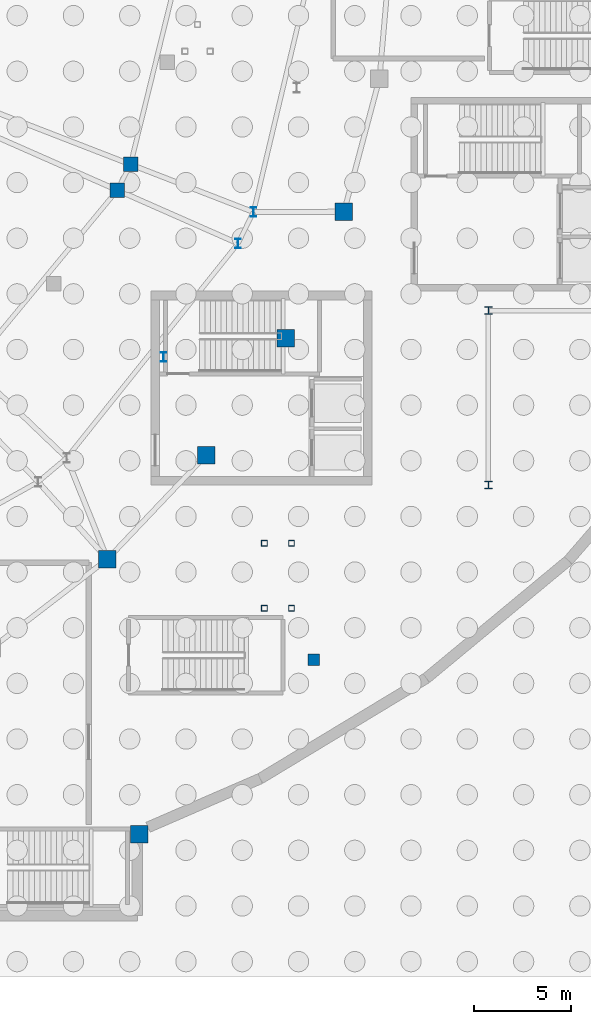
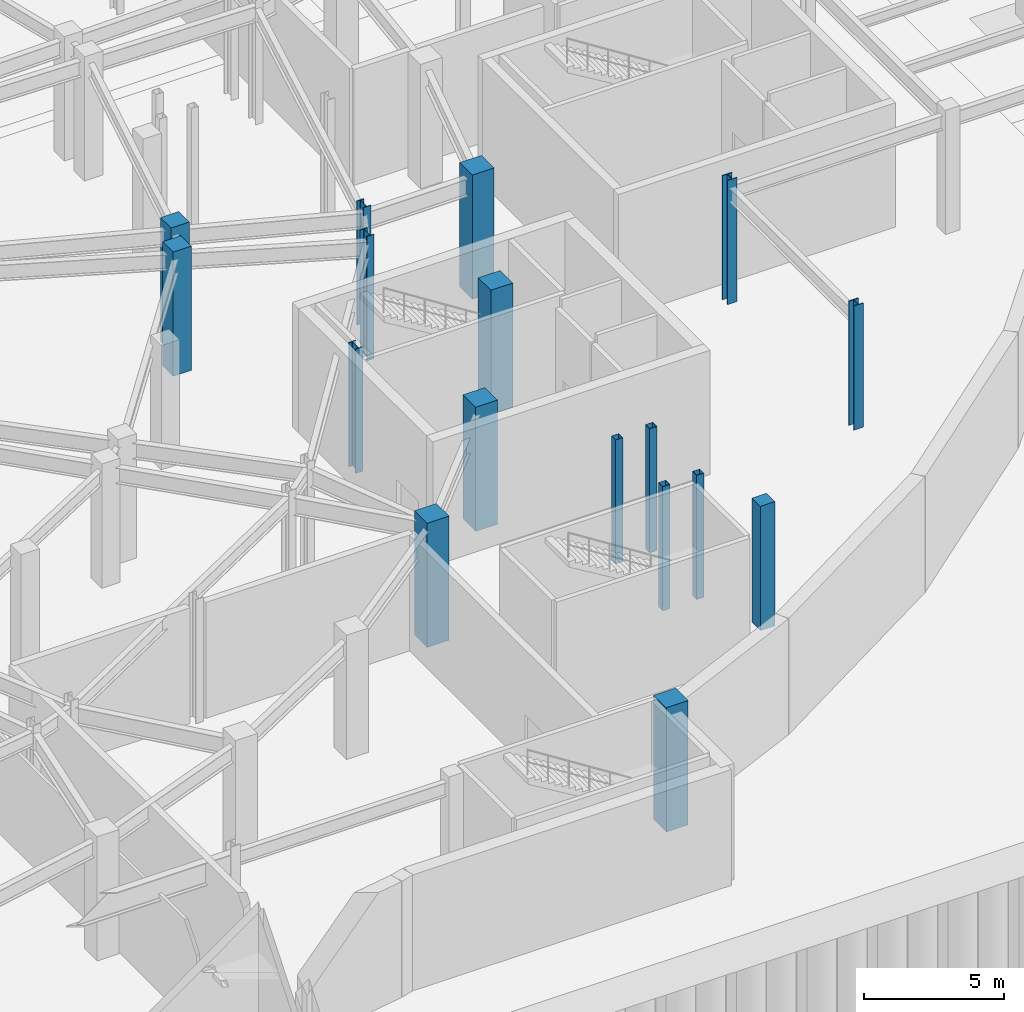
# One storey, part 25 of 56: 17 columns.
"""IFC4 building model written with IfcOpenShell, lengths in metres."""

from ifc_helpers import new_model, si_unit, direction, frame, origin, origin_2d, place, context, subcontext, project, spatial, rectangle, hollow_rectangle, i_section, extrude, material, material_profile, profile_set, type_object, element, save


model = new_model("IFC4")

# Units and contexts
model_context = context("Model", 3, precision=1e-05, world=origin(), true_north=direction((0.0, 1.0)))
body_context = subcontext(model_context, "Body", "Model", "MODEL_VIEW")
ifc_project = project(units=[si_unit("LENGTHUNIT", "METRE"), si_unit("AREAUNIT", "SQUARE_METRE"), si_unit("VOLUMEUNIT", "CUBIC_METRE"), si_unit("PLANEANGLEUNIT", "RADIAN"), si_unit("MASSUNIT", "GRAM", prefix="KILO")], contexts=[model_context])

# Site, building, storey
site_placement = place(None, origin())
site = spatial("IfcSite", under=ifc_project, at=site_placement, CompositionType="ELEMENT")
building_placement = place(site_placement, origin())
building = spatial("IfcBuilding", under=site, at=building_placement, Name="Glasvene Arena", CompositionType="ELEMENT")
storey_placement = place(building_placement, frame((0.0, 0.0, -5.39990234375)))
storey = spatial("IfcBuildingStorey", under=building, at=storey_placement, Name="B1", CompositionType="ELEMENT", Elevation=-5.39990234375)

# Columns
ifc_material_1 = material(Name="Concrete C40/50", Category="concrete")
ifc_material_profile_1 = material_profile(ifc_material_1, rectangle(XDim=0.89990234375, YDim=0.89990234375, at=origin_2d()), Name="RC 900x900")
ifc_profile_set_1 = profile_set([ifc_material_profile_1], Name="Concrete C40/50")
column_type_1 = type_object("IfcColumnType", Name="COL-BOWL-RC900", PredefinedType="COLUMN", material=ifc_profile_set_1)
for number, where, z_axis, x_axis, name in (
    (1, (127.355224609375, 41.18017578125, 0.0), (0.0, 0.0, 1.0), (1.0, 0.0, 0.0), "Bowl ring column R36 B1"),
    (2, (132.45068359375, 46.5498046875, 0.0), (0.0, 0.0, 1.0), (1.0, 0.0, 0.0), "Bowl ring column R37 B1"),
    (3, (136.55029296875, 52.5703125, 0.0), (0.0, 0.0, 1.0), (1.0, 0.0, 0.0), "Bowl ring column R38 B1"),
    (4, (139.552734375, 59.09423828125, 0.0), (0.0, 0.0, 1.0), (1.0, 0.0, 0.0), "Bowl ring column R39 B1"),
    (5, (129.0, 27.0, 0.0), (0.0, 0.0, 1.0), (1.0, 0.0, 0.0), "Grid column 15-4 B1"),
):
    element("IfcColumn", number, at=place(storey_placement, frame(where, z_axis=z_axis, x_axis=x_axis)), inside=storey, type_object=column_type_1, Name=name, PredefinedType="COLUMN", context=body_context, shape_type="SweptSolid", body=[
        extrude(rectangle(XDim=0.89990234375, YDim=0.89990234375, at=origin_2d()), origin(), (0.0, 0.0, 1.0), 5.39990234375),
    ])
ifc_material_profile_2 = material_profile(ifc_material_1, rectangle(XDim=0.60009765625, YDim=0.60009765625, at=origin_2d()), Name="RC 600x600")
ifc_profile_set_2 = profile_set([ifc_material_profile_2], Name="Concrete C40/50")
column_type_2 = type_object("IfcColumnType", Name="COL-IN-RC600", PredefinedType="COLUMN", material=ifc_profile_set_2)
column_placement = place(storey_placement, frame((138.0, 36.0, 0.0), z_axis=(0.0, 0.0, 1.0), x_axis=(1.0, 0.0, 0.0)))
element("IfcColumn", 6, at=column_placement, inside=storey, type_object=column_type_2, Name="Grid column 16-5 B1", PredefinedType="COLUMN", context=body_context, shape_type="SweptSolid", body=[
    extrude(rectangle(XDim=0.60009765625, YDim=0.60009765625, at=origin_2d()), origin(), (0.0, 0.0, 1.0), 5.39990234375),
])
ifc_material_profile_3 = material_profile(ifc_material_1, rectangle(XDim=0.75, YDim=0.75, at=origin_2d()), Name="RC 750x750")
ifc_profile_set_3 = profile_set([ifc_material_profile_3], Name="Concrete C40/50")
column_type_3 = type_object("IfcColumnType", Name="COL-MID-RC750", PredefinedType="COLUMN", material=ifc_profile_set_3)
for number, where, z_axis, x_axis, name in (
    (7, (127.866455078125, 60.20751953125, 0.0), (0.0, 0.0, 1.0), (1.0, 0.0, 0.0), "Mid-bowl fulcrum column B1 15-2"),
    (8, (128.547119140625, 61.53662109375, 0.0), (0.0, 0.0, 1.0), (1.0, 0.0, 0.0), "Mid-bowl fulcrum column B1 16-1"),
):
    element("IfcColumn", number, at=place(storey_placement, frame(where, z_axis=z_axis, x_axis=x_axis)), inside=storey, type_object=column_type_3, Name=name, PredefinedType="COLUMN", context=body_context, shape_type="SweptSolid", body=[
        extrude(rectangle(XDim=0.75, YDim=0.75, at=origin_2d()), origin(), (0.0, 0.0, 1.0), 5.39990234375),
    ])
ifc_material_2 = material(Name="Steel S355J2", Category="steel")
ifc_material_profile_4 = material_profile(ifc_material_2, i_section(OverallWidth=0.300048828125, OverallDepth=0.5, WebThickness=0.014404296875, FlangeThickness=0.028076171875, FilletRadius=0.027099609375, at=origin_2d()), Name="HEB 500")
ifc_profile_set_4 = profile_set([ifc_material_profile_4], Name="Steel S355J2")
column_type_4 = type_object("IfcColumnType", Name="COL-W-HEB500", PredefinedType="COLUMN", material=ifc_profile_set_4)
for number, where, z_axis, x_axis, name in (
    (9, (134.088134765625, 57.46337890625, 0.0), (0.0, 0.0, 1.0), (1.0, 0.0, 0.0), "Upper raker rear column B1 15-2"),
    (10, (134.886962890625, 59.077392578125, 0.0), (0.0, 0.0, 1.0), (1.0, 0.0, 0.0), "Upper raker rear column B1 16-1"),
    (11, (130.24755859375, 51.610595703125, 0.0), (0.0, 0.0, 1.0), (1.0, 0.0, 0.0), "Mid-sector rear raker column B1 15"),
):
    element("IfcColumn", number, at=place(storey_placement, frame(where, z_axis=z_axis, x_axis=x_axis)), inside=storey, type_object=column_type_4, Name=name, PredefinedType="COLUMN", context=body_context, shape_type="SweptSolid", body=[
        extrude(i_section(OverallWidth=0.300048828125, OverallDepth=0.5, WebThickness=0.014404296875, FlangeThickness=0.028076171875, FilletRadius=0.027099609375, at=origin_2d()), origin(), (0.0, 0.0, 1.0), 5.39990234375),
    ])
ifc_material_profile_5 = material_profile(ifc_material_2, hollow_rectangle(XDim=0.300048828125, YDim=0.300048828125, WallThickness=0.012451171875, at=origin_2d()), Name="SHS 300x300x12.5")
ifc_profile_set_5 = profile_set([ifc_material_profile_5], Name="Steel S355J2")
column_type_5 = type_object("IfcColumnType", Name="COL-W-SHS300", PredefinedType="COLUMN", material=ifc_profile_set_5)
for number, where, z_axis, x_axis, name in (
    (12, (135.449951171875, 38.64990234375, 0.0), (0.0, 0.0, 1.0), (1.0, 0.0, 0.0), "Vomitory landing column VOM-02 B1"),
    (13, (135.449951171875, 42.0, 0.0), (0.0, 0.0, 1.0), (1.0, 0.0, 0.0), "Vomitory landing column VOM-02 B1"),
    (14, (136.85009765625, 38.64990234375, 0.0), (0.0, 0.0, 1.0), (1.0, 0.0, 0.0), "Vomitory landing column VOM-02 B1"),
    (15, (136.85009765625, 42.0, 0.0), (0.0, 0.0, 1.0), (1.0, 0.0, 0.0), "Vomitory landing column VOM-02 B1"),
):
    element("IfcColumn", number, at=place(storey_placement, frame(where, z_axis=z_axis, x_axis=x_axis)), inside=storey, type_object=column_type_5, Name=name, PredefinedType="COLUMN", context=body_context, shape_type="SweptSolid", body=[
        extrude(hollow_rectangle(XDim=0.300048828125, YDim=0.300048828125, WallThickness=0.012451171875, at=origin_2d()), origin(), (0.0, 0.0, 1.0), 5.39990234375),
    ])
ifc_material_profile_6 = material_profile(ifc_material_2, i_section(OverallWidth=0.394775390625, OverallDepth=0.381103515625, WebThickness=0.018310546875, FlangeThickness=0.0302734375, FilletRadius=0.01513671875, at=origin_2d()), Name="UKC 356x406x235")
ifc_profile_set_6 = profile_set([ifc_material_profile_6], Name="Steel S355J2")
column_type_6 = type_object("IfcColumnType", Name="COL-W-UKC235", PredefinedType="COLUMN", material=ifc_profile_set_6)
for number, where, z_axis, x_axis, name in (
    (16, (147.0, 45.0, 0.0), (0.0, 0.0, 1.0), (1.0, 0.0, 0.0), "Grid column 17-6 B1"),
    (17, (147.0, 54.0, 0.0), (0.0, 0.0, 1.0), (1.0, 0.0, 0.0), "Grid column 17-7 B1"),
):
    element("IfcColumn", number, at=place(storey_placement, frame(where, z_axis=z_axis, x_axis=x_axis)), inside=storey, type_object=column_type_6, Name=name, PredefinedType="COLUMN", context=body_context, shape_type="SweptSolid", body=[
        extrude(i_section(OverallWidth=0.394775390625, OverallDepth=0.381103515625, WebThickness=0.018310546875, FlangeThickness=0.0302734375, FilletRadius=0.01513671875, at=origin_2d()), origin(), (0.0, 0.0, 1.0), 5.39990234375),
    ])

save(model, "model.ifc")
